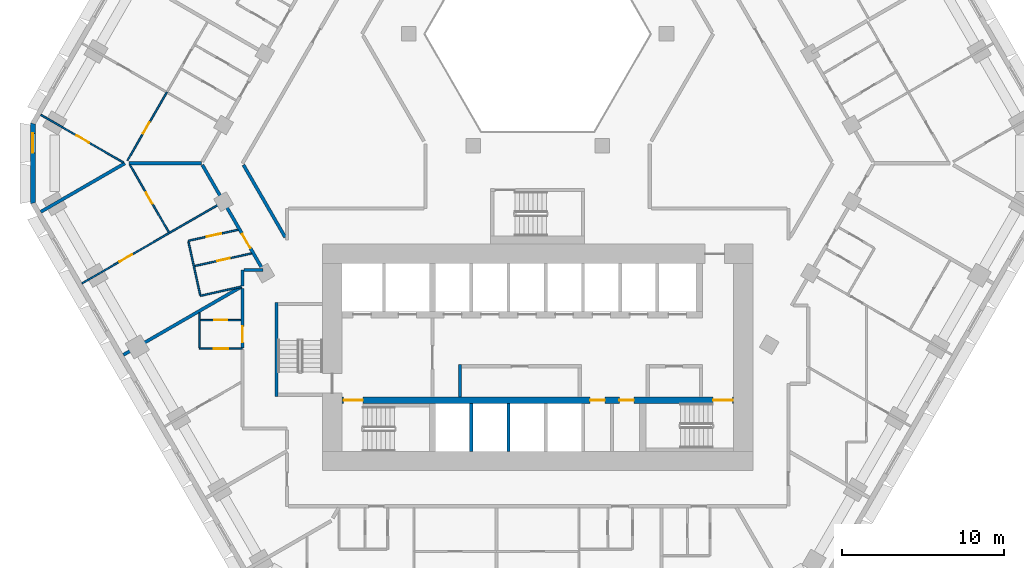
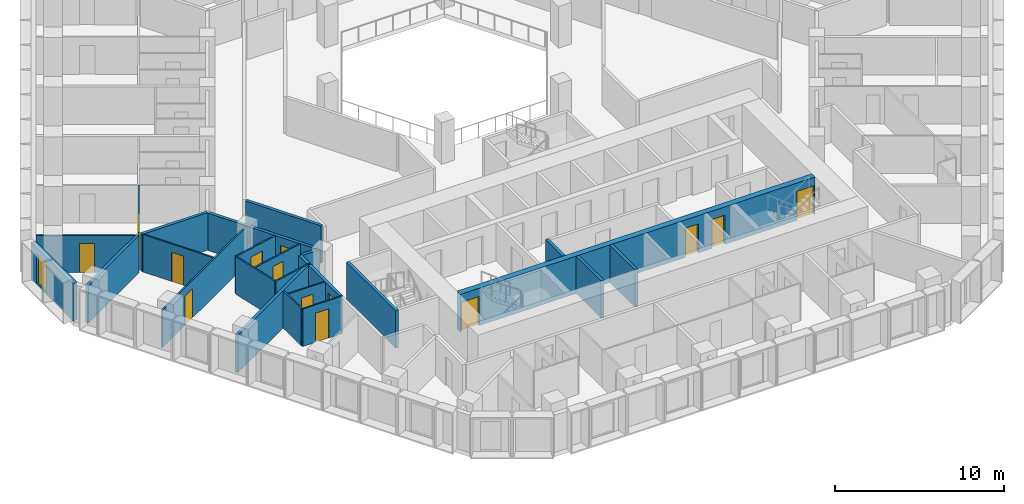
# One storey, part 4 of 16: 25 walls, 14 doors, 1 window, 15 openings.
"""IFC4 building model written with IfcOpenShell, lengths in metres."""

from ifc_helpers import new_model, si_unit, direction, frame, frame_2d, origin, place, context, subcontext, project, spatial, polyline, rectangle, outline, extrude, material, layer, layer_set, type_object, element, fill, save


model = new_model("IFC4")

# Units and contexts
model_context = context("Model", 3, precision=1e-05, world=origin(), true_north=direction((0.0, 1.0)))
body_context = subcontext(model_context, "Body", "Model", "MODEL_VIEW")
ifc_project = project(units=[si_unit("LENGTHUNIT", "METRE"), si_unit("AREAUNIT", "SQUARE_METRE"), si_unit("VOLUMEUNIT", "CUBIC_METRE"), si_unit("PLANEANGLEUNIT", "RADIAN"), si_unit("MASSUNIT", "GRAM", prefix="KILO")], contexts=[model_context])

# Site, building, storey
site_placement = place(None, origin())
site = spatial("IfcSite", under=ifc_project, at=site_placement, CompositionType="ELEMENT")
building_placement = place(site_placement, origin())
building = spatial("IfcBuilding", under=site, at=building_placement, Name="Beryl Residences", CompositionType="ELEMENT")
storey_placement = place(building_placement, frame((0.0, 0.0, 50.39990234375)))
storey = spatial("IfcBuildingStorey", under=building, at=storey_placement, Name="L15", CompositionType="ELEMENT", Elevation=50.39990234375)

# Wall, opening, window
ifc_material_1 = material(Name="Composite metal panel with mineral wool insulation")
ifc_layer_1 = layer(ifc_material_1, 0.300048828125)
ifc_layer_set_1 = layer_set([ifc_layer_1], Name="ES1 pale metal composite panel wall 300 mm")
wall_type_1 = type_object("IfcWallType", Name="ES1 pale metal composite panel wall 300 mm", PredefinedType="SOLIDWALL", material=ifc_layer_set_1)
wall_1_placement = place(storey_placement, frame((-31.199951171875, 2.5, 0.0), z_axis=(0.0, 0.0, 1.0), x_axis=(0.0, -1.0, 0.0)))
wall_1 = element("IfcWall", 1, at=wall_1_placement, inside=storey, type_object=wall_type_1, Name="ES1 external wall L15 NW-SW", PredefinedType="SOLIDWALL", context=body_context, shape_type="SweptSolid", body=[
    extrude(outline(polyline([(0.0, -0.14990234375), (5.0, -0.14990234375), (4.919677734375, 0.14990234375), (0.080322265625, 0.14990234375), (0.0, -0.14990234375)])), origin(), (0.0, 0.0, 1.0), 2.7001953125),
])
opening_1_placement = place(wall_1_placement, frame((0.64990234375, 0.0, 0.14990234375)))
opening_1 = element("IfcOpeningElement", 2, at=opening_1_placement, cuts=wall_1, Name="Opening W2", PredefinedType="OPENING", context=body_context, shape_type="SweptSolid", body=[
    extrude(rectangle(XDim=1.199951171875, YDim=2.10009765625, at=frame_2d((0.60009765625, 1.050048828125))), frame((0.0, 0.159912109375, 0.0), z_axis=(0.0, -1.0, 0.0), x_axis=(1.0, 0.0, 0.0)), (0.0, 0.0, 1.0), 0.320068359375),
])
ifc_material_2 = material(Name="Aluminium and clear glass", Category="aluminium")
window_type = type_object("IfcWindowType", Name="W2 chamfer window 1200 x 2100 mm", PartitioningType="SINGLE_PANEL", PredefinedType="WINDOW", material=ifc_material_2)
window_placement = place(opening_1_placement, origin())
window = element("IfcWindow", 3, at=window_placement, inside=storey, type_object=window_type, Name="W2 window L15 NW-SW 1", OverallHeight=2.10009765625, OverallWidth=1.199951171875, PartitioningType="SINGLE_PANEL", PredefinedType="WINDOW", context=body_context, shape_type="SweptSolid", body=[
    extrude(rectangle(XDim=1.199951171875, YDim=2.10009765625, at=frame_2d((0.60009765625, 1.050048828125))), frame((0.0, 0.030029296875, 0.0), z_axis=(0.0, -1.0, 0.0), x_axis=(1.0, 0.0, 0.0)), (0.0, 0.0, 1.0), 0.06005859375),
])
fill(opening_1, window)

# Wall, opening, door
ifc_material_3 = material(Name="Gypsum board partition on steel studs", Category="steel")
ifc_layer_2 = layer(ifc_material_3, 0.10009765625)
ifc_layer_set_2 = layer_set([ifc_layer_2], Name="PT1 partition 100 mm gypsum board on steel studs")
wall_type_2 = type_object("IfcWallType", Name="PT1 partition 100 mm gypsum board on steel studs", PredefinedType="PARTITIONING", material=ifc_layer_set_2)
wall_2_placement = place(storey_placement, frame((-25.199951171875, -0.10107421875, 0.0), z_axis=(0.0, 0.0, 1.0), x_axis=(0.500099052605, -0.865968208183, 0.0)))
wall_2 = element("IfcWall", 4, at=wall_2_placement, inside=storey, type_object=wall_type_2, Name="Wall PT1 L15 001", PredefinedType="PARTITIONING", context=body_context, shape_type="SweptSolid", body=[
    extrude(rectangle(XDim=4.80712890625, YDim=0.10009765625, at=frame_2d((2.403564453125, 0.0))), origin(), (0.0, 0.0, 1.0), 2.7001953125),
])
opening_2_placement = place(wall_2_placement, frame((1.970947265625, 0.0, 0.0)))
opening_2 = element("IfcOpeningElement", 5, at=opening_2_placement, cuts=wall_2, Name="Opening D0515", PredefinedType="OPENING", context=body_context, shape_type="SweptSolid", body=[
    extrude(rectangle(XDim=0.800048828125, YDim=2.10009765625, at=frame_2d((0.39990234375, 1.050048828125))), frame((0.0, 0.06005859375, 0.0), z_axis=(0.0, -1.0, 0.0), x_axis=(1.0, 0.0, 0.0)), (0.0, 0.0, 1.0), 0.1201171875),
])
ifc_material_4 = material(Name="Timber door leaf", Category="wood")
door_type_1 = type_object("IfcDoorType", Name="D3 bathroom door 800 x 2100 mm", OperationType="SINGLE_SWING_LEFT", PredefinedType="DOOR", material=ifc_material_4)
door_1_placement = place(opening_2_placement, origin())
door_1 = element("IfcDoor", 6, at=door_1_placement, inside=storey, type_object=door_type_1, Name="Door D0515 L15 001", OperationType="SINGLE_SWING_LEFT", OverallHeight=2.10009765625, OverallWidth=0.800048828125, PredefinedType="DOOR", context=body_context, shape_type="SweptSolid", body=[
    extrude(rectangle(XDim=0.800048828125, YDim=2.10009765625, at=frame_2d((0.39990234375, 1.050048828125))), frame((0.0, 0.02490234375, 0.0), z_axis=(0.0, -1.0, 0.0), x_axis=(1.0, 0.0, 0.0)), (0.0, 0.0, 1.0), 0.050048828125),
])
fill(opening_2, door_1)

# Walls
wall_3_placement = place(storey_placement, frame((-21.590087890625, -4.842041015625, 0.0), z_axis=(0.0, 0.0, 1.0), x_axis=(0.216524734289, -0.976277132499, 0.0)))
element("IfcWall", 7, at=wall_3_placement, inside=storey, type_object=wall_type_2, Name="Wall PT1 L15 004", PredefinedType="PARTITIONING", context=body_context, shape_type="SweptSolid", body=[
    extrude(rectangle(XDim=3.376953125, YDim=0.10009765625, at=frame_2d((1.6884765625, 0.0))), origin(), (0.0, 0.0, 1.0), 2.7001953125),
])
wall_4_placement = place(storey_placement, frame((-20.909912109375, -9.242919921875, 0.0), z_axis=(0.0, 0.0, 1.0), x_axis=(0.0, -1.0, 0.0)))
element("IfcWall", 8, at=wall_4_placement, inside=storey, type_object=wall_type_2, Name="Wall PT1 L15 009", PredefinedType="PARTITIONING", context=body_context, shape_type="SweptSolid", body=[
    extrude(rectangle(XDim=2.1630859375, YDim=0.10009765625, at=frame_2d((1.08154296875, 0.0))), origin(), (0.0, 0.0, 1.0), 2.7001953125),
])

# Wall, opening, door
wall_5_placement = place(storey_placement, frame((-30.716064453125, 2.9990234375, 0.0), z_axis=(0.0, 0.0, 1.0), x_axis=(0.866025981722, -0.499998998981, 0.0)))
wall_5 = element("IfcWall", 9, at=wall_5_placement, inside=storey, type_object=wall_type_2, Name="Wall PT1 L15 015", PredefinedType="PARTITIONING", context=body_context, shape_type="SweptSolid", body=[
    extrude(rectangle(XDim=5.88427734375, YDim=0.10009765625, at=frame_2d((2.942138671875, 0.0))), origin(), (0.0, 0.0, 1.0), 2.7001953125),
])
opening_3_placement = place(wall_5_placement, frame((2.550048828125, 0.0, 0.0)))
opening_3 = element("IfcOpeningElement", 10, at=opening_3_placement, cuts=wall_5, Name="Opening D0509", PredefinedType="OPENING", context=body_context, shape_type="SweptSolid", body=[
    extrude(rectangle(XDim=0.89990234375, YDim=2.10009765625, at=frame_2d((0.449951171875, 1.050048828125))), frame((0.0, 0.06005859375, 0.0), z_axis=(0.0, -1.0, 0.0), x_axis=(1.0, 0.0, 0.0)), (0.0, 0.0, 1.0), 0.1201171875),
])
ifc_material_5 = material(Name="Timber door leaf", Category="wood")
door_type_2 = type_object("IfcDoorType", Name="D2 room door 900 x 2100 mm", OperationType="SINGLE_SWING_LEFT", PredefinedType="DOOR", material=ifc_material_5)
door_2_placement = place(opening_3_placement, origin())
door_2 = element("IfcDoor", 11, at=door_2_placement, inside=storey, type_object=door_type_2, Name="Door D0509 L15 001", OperationType="SINGLE_SWING_LEFT", OverallHeight=2.10009765625, OverallWidth=0.89990234375, PredefinedType="DOOR", context=body_context, shape_type="SweptSolid", body=[
    extrude(rectangle(XDim=0.89990234375, YDim=2.10009765625, at=frame_2d((0.449951171875, 1.050048828125))), frame((0.0, 0.02490234375, 0.0), z_axis=(0.0, -1.0, 0.0), x_axis=(1.0, 0.0, 0.0)), (0.0, 0.0, 1.0), 0.050048828125),
])
fill(opening_3, door_2)

wall_6_placement = place(storey_placement, frame((-20.860107421875, -9.68896484375, 0.0), z_axis=(0.0, 0.0, 1.0), x_axis=(1.0, 0.0, 0.0)))
wall_6 = element("IfcWall", 12, at=wall_6_placement, inside=storey, type_object=wall_type_2, Name="Wall PT1 L15 025", PredefinedType="PARTITIONING", context=body_context, shape_type="SweptSolid", body=[
    extrude(rectangle(XDim=2.510009765625, YDim=0.10009765625, at=frame_2d((1.2548828125, 0.0))), origin(), (0.0, 0.0, 1.0), 2.7001953125),
])
opening_4_placement = place(wall_6_placement, frame((0.8798828125, 0.0, 0.0)))
opening_4 = element("IfcOpeningElement", 13, at=opening_4_placement, cuts=wall_6, Name="Opening D0518", PredefinedType="OPENING", context=body_context, shape_type="SweptSolid", body=[
    extrude(rectangle(XDim=0.800048828125, YDim=2.10009765625, at=frame_2d((0.39990234375, 1.050048828125))), frame((0.0, 0.06005859375, 0.0), z_axis=(0.0, -1.0, 0.0), x_axis=(1.0, 0.0, 0.0)), (0.0, 0.0, 1.0), 0.1201171875),
])
door_3_placement = place(opening_4_placement, origin())
door_3 = element("IfcDoor", 14, at=door_3_placement, inside=storey, type_object=door_type_1, Name="Door D0518 L15 001", OperationType="SINGLE_SWING_RIGHT", OverallHeight=2.10009765625, OverallWidth=0.800048828125, PredefinedType="DOOR", context=body_context, shape_type="SweptSolid", body=[
    extrude(rectangle(XDim=0.800048828125, YDim=2.10009765625, at=frame_2d((0.39990234375, 1.050048828125))), frame((0.0, 0.02490234375, 0.0), z_axis=(0.0, -1.0, 0.0), x_axis=(1.0, 0.0, 0.0)), (0.0, 0.0, 1.0), 0.050048828125),
])
fill(opening_4, door_3)

wall_7_placement = place(storey_placement, frame((-20.908935546875, -11.45703125, 0.0), z_axis=(0.0, 0.0, 1.0), x_axis=(1.0, 0.0, 0.0)))
wall_7 = element("IfcWall", 15, at=wall_7_placement, inside=storey, type_object=wall_type_2, Name="Wall PT1 L15 026", PredefinedType="PARTITIONING", context=body_context, shape_type="SweptSolid", body=[
    extrude(rectangle(XDim=2.658935546875, YDim=0.10009765625, at=frame_2d((1.32958984375, 0.0))), origin(), (0.0, 0.0, 1.0), 2.7001953125),
])
opening_5_placement = place(wall_7_placement, frame((0.87890625, 0.0, 0.0)))
opening_5 = element("IfcOpeningElement", 16, at=opening_5_placement, cuts=wall_7, Name="Opening D0517", PredefinedType="OPENING", context=body_context, shape_type="SweptSolid", body=[
    extrude(rectangle(XDim=0.89990234375, YDim=2.10009765625, at=frame_2d((0.449951171875, 1.050048828125))), frame((0.0, 0.06005859375, 0.0), z_axis=(0.0, -1.0, 0.0), x_axis=(1.0, 0.0, 0.0)), (0.0, 0.0, 1.0), 0.1201171875),
])
door_4_placement = place(opening_5_placement, origin())
door_4 = element("IfcDoor", 17, at=door_4_placement, inside=storey, type_object=door_type_2, Name="Door D0517 L15 001", OperationType="SINGLE_SWING_LEFT", OverallHeight=2.10009765625, OverallWidth=0.89990234375, PredefinedType="DOOR", context=body_context, shape_type="SweptSolid", body=[
    extrude(rectangle(XDim=0.89990234375, YDim=2.10009765625, at=frame_2d((0.449951171875, 1.050048828125))), frame((0.0, 0.02490234375, 0.0), z_axis=(0.0, -1.0, 0.0), x_axis=(1.0, 0.0, 0.0)), (0.0, 0.0, 1.0), 0.050048828125),
])
fill(opening_5, door_4)

wall_8_placement = place(storey_placement, frame((-25.35791015625, 0.173095703125, 0.0), z_axis=(0.0, 0.0, 1.0), x_axis=(0.500180754623, 0.8659210199, 0.0)))
wall_8 = element("IfcWall", 18, at=wall_8_placement, inside=storey, type_object=wall_type_2, Name="Wall PT1 L15 039", PredefinedType="PARTITIONING", context=body_context, shape_type="SweptSolid", body=[
    extrude(rectangle(XDim=4.872314453125, YDim=0.10009765625, at=frame_2d((2.43603515625, 0.0))), origin(), (0.0, 0.0, 1.0), 2.7001953125),
])
opening_6_placement = place(wall_8_placement, frame((1.93603515625, 0.0, 0.0)))
opening_6 = element("IfcOpeningElement", 19, at=opening_6_placement, cuts=wall_8, Name="Opening D0510", PredefinedType="OPENING", context=body_context, shape_type="SweptSolid", body=[
    extrude(rectangle(XDim=0.800048828125, YDim=2.10009765625, at=frame_2d((0.39990234375, 1.050048828125))), frame((0.0, 0.06005859375, 0.0), z_axis=(0.0, -1.0, 0.0), x_axis=(1.0, 0.0, 0.0)), (0.0, 0.0, 1.0), 0.1201171875),
])
door_5_placement = place(opening_6_placement, origin())
door_5 = element("IfcDoor", 20, at=door_5_placement, inside=storey, type_object=door_type_1, Name="Door D0510 L15 001", OperationType="SINGLE_SWING_RIGHT", OverallHeight=2.10009765625, OverallWidth=0.800048828125, PredefinedType="DOOR", context=body_context, shape_type="SweptSolid", body=[
    extrude(rectangle(XDim=0.800048828125, YDim=2.10009765625, at=frame_2d((0.39990234375, 1.050048828125))), frame((0.0, 0.02490234375, 0.0), z_axis=(0.0, -1.0, 0.0), x_axis=(1.0, 0.0, 0.0)), (0.0, 0.0, 1.0), 0.050048828125),
])
fill(opening_6, door_5)

# Wall
wall_9_placement = place(storey_placement, frame((-20.847900390625, -8.18896484375, 0.0), z_axis=(0.0, 0.0, 1.0), x_axis=(0.976266547712, 0.216572453971, 0.0)))
element("IfcWall", 21, at=wall_9_placement, inside=storey, type_object=wall_type_2, Name="Wall PT1 L15 057", PredefinedType="PARTITIONING", context=body_context, shape_type="SweptSolid", body=[
    extrude(rectangle(XDim=2.599609375, YDim=0.10009765625, at=frame_2d((1.2998046875, 0.0))), origin(), (0.0, 0.0, 1.0), 2.7001953125),
])

# Wall, opening, door
wall_10_placement = place(storey_placement, frame((-21.205078125, -6.34912109375, 0.0), z_axis=(0.0, 0.0, 1.0), x_axis=(0.976315944397, 0.216349663084, 0.0)))
wall_10 = element("IfcWall", 22, at=wall_10_placement, inside=storey, type_object=wall_type_2, Name="Wall PT1 L15 058", PredefinedType="PARTITIONING", context=body_context, shape_type="SweptSolid", body=[
    extrude(rectangle(XDim=3.60546875, YDim=0.10009765625, at=frame_2d((1.802734375, 0.0))), origin(), (0.0, 0.0, 1.0), 2.7001953125),
])
opening_7_placement = place(wall_10_placement, frame((1.429931640625, 0.0, 0.0)))
opening_7 = element("IfcOpeningElement", 23, at=opening_7_placement, cuts=wall_10, Name="Opening D0512", PredefinedType="OPENING", context=body_context, shape_type="SweptSolid", body=[
    extrude(rectangle(XDim=0.800048828125, YDim=2.10009765625, at=frame_2d((0.39990234375, 1.050048828125))), frame((0.0, 0.06005859375, 0.0), z_axis=(0.0, -1.0, 0.0), x_axis=(1.0, 0.0, 0.0)), (0.0, 0.0, 1.0), 0.1201171875),
])
door_6_placement = place(opening_7_placement, origin())
door_6 = element("IfcDoor", 24, at=door_6_placement, inside=storey, type_object=door_type_1, Name="Door D0512 L15 001", OperationType="SINGLE_SWING_RIGHT", OverallHeight=2.10009765625, OverallWidth=0.800048828125, PredefinedType="DOOR", context=body_context, shape_type="SweptSolid", body=[
    extrude(rectangle(XDim=0.800048828125, YDim=2.10009765625, at=frame_2d((0.39990234375, 1.050048828125))), frame((0.0, 0.02490234375, 0.0), z_axis=(0.0, -1.0, 0.0), x_axis=(1.0, 0.0, 0.0)), (0.0, 0.0, 1.0), 0.050048828125),
])
fill(opening_7, door_6)

wall_11_placement = place(storey_placement, frame((-21.60009765625, -4.7919921875, 0.0), z_axis=(0.0, 0.0, 1.0), x_axis=(0.976320106661, 0.216330879278, 0.0)))
wall_11 = element("IfcWall", 25, at=wall_11_placement, inside=storey, type_object=wall_type_2, Name="Wall PT1 L15 059", PredefinedType="PARTITIONING", context=body_context, shape_type="SweptSolid", body=[
    extrude(rectangle(XDim=3.1474609375, YDim=0.10009765625, at=frame_2d((1.57373046875, 0.0))), origin(), (0.0, 0.0, 1.0), 2.7001953125),
])
opening_8_placement = place(wall_11_placement, frame((1.176025390625, 0.0, 0.0)))
opening_8 = element("IfcOpeningElement", 26, at=opening_8_placement, cuts=wall_11, Name="Opening D0513", PredefinedType="OPENING", context=body_context, shape_type="SweptSolid", body=[
    extrude(rectangle(XDim=0.89990234375, YDim=2.10009765625, at=frame_2d((0.449951171875, 1.050048828125))), frame((0.0, 0.06005859375, 0.0), z_axis=(0.0, -1.0, 0.0), x_axis=(1.0, 0.0, 0.0)), (0.0, 0.0, 1.0), 0.1201171875),
])
door_7_placement = place(opening_8_placement, origin())
door_7 = element("IfcDoor", 27, at=door_7_placement, inside=storey, type_object=door_type_2, Name="Door D0513 L15 001", OperationType="SINGLE_SWING_LEFT", OverallHeight=2.10009765625, OverallWidth=0.89990234375, PredefinedType="DOOR", context=body_context, shape_type="SweptSolid", body=[
    extrude(rectangle(XDim=0.89990234375, YDim=2.10009765625, at=frame_2d((0.449951171875, 1.050048828125))), frame((0.0, 0.02490234375, 0.0), z_axis=(0.0, -1.0, 0.0), x_axis=(1.0, 0.0, 0.0)), (0.0, 0.0, 1.0), 0.050048828125),
])
fill(opening_8, door_7)

wall_12_placement = place(storey_placement, frame((-28.1630859375, -7.419921875, 0.0), z_axis=(0.0, 0.0, 1.0), x_axis=(0.866065245018, 0.499930986609, 0.0)))
wall_12 = element("IfcWall", 28, at=wall_12_placement, inside=storey, type_object=wall_type_2, Name="Wall PT1 L15 063", PredefinedType="PARTITIONING", context=body_context, shape_type="SweptSolid", body=[
    extrude(rectangle(XDim=9.99951171875, YDim=0.10009765625, at=frame_2d((4.999755859375, 0.0))), origin(), (0.0, 0.0, 1.0), 2.7001953125),
])
opening_9_placement = place(wall_12_placement, frame((2.6630859375, 0.0, 0.0)))
opening_9 = element("IfcOpeningElement", 29, at=opening_9_placement, cuts=wall_12, Name="Opening D0514", PredefinedType="OPENING", context=body_context, shape_type="SweptSolid", body=[
    extrude(rectangle(XDim=0.89990234375, YDim=2.10009765625, at=frame_2d((0.449951171875, 1.050048828125))), frame((0.0, 0.06005859375, 0.0), z_axis=(0.0, -1.0, 0.0), x_axis=(1.0, 0.0, 0.0)), (0.0, 0.0, 1.0), 0.1201171875),
])
door_8_placement = place(opening_9_placement, origin())
door_8 = element("IfcDoor", 30, at=door_8_placement, inside=storey, type_object=door_type_2, Name="Door D0514 L15 001", OperationType="SINGLE_SWING_RIGHT", OverallHeight=2.10009765625, OverallWidth=0.89990234375, PredefinedType="DOOR", context=body_context, shape_type="SweptSolid", body=[
    extrude(rectangle(XDim=0.89990234375, YDim=2.10009765625, at=frame_2d((0.449951171875, 1.050048828125))), frame((0.0, 0.02490234375, 0.0), z_axis=(0.0, -1.0, 0.0), x_axis=(1.0, 0.0, 0.0)), (0.0, 0.0, 1.0), 0.050048828125),
])
fill(opening_9, door_8)

# Walls
ifc_material_6 = material(Name="Concrete masonry", Category="masonry")
ifc_layer_3 = layer(ifc_material_6, 0.199951171875)
ifc_layer_set_3 = layer_set([ifc_layer_3], Name="PT13 lobby wall 200 mm")
wall_type_3 = type_object("IfcWallType", Name="PT13 lobby wall 200 mm", PredefinedType="PARTITIONING", material=ifc_layer_set_3)
wall_13_placement = place(storey_placement, frame((-4.800048828125, -14.449951171875, 0.0), z_axis=(0.0, 0.0, 1.0), x_axis=(0.0, 1.0, 0.0)))
element("IfcWall", 31, at=wall_13_placement, inside=storey, type_object=wall_type_3, Name="Lobby wall 07", PredefinedType="PARTITIONING", context=body_context, shape_type="SweptSolid", body=[
    extrude(rectangle(XDim=2.0, YDim=0.199951171875, at=frame_2d((1.0, 0.0))), origin(), (0.0, 0.0, 1.0), 2.7001953125),
])
ifc_material_7 = material(Name="Acoustic double stud gypsum board wall")
ifc_layer_4 = layer(ifc_material_7, 0.199951171875)
ifc_layer_set_4 = layer_set([ifc_layer_4], Name="PT3 party wall 200 mm acoustic double stud")
wall_type_4 = type_object("IfcWallType", Name="PT3 party wall 200 mm acoustic double stud", PredefinedType="PARTITIONING", material=ifc_layer_set_4)
wall_14_placement = place(storey_placement, frame((-25.277099609375, -0.0009765625, 0.0), z_axis=(0.0, 0.0, 1.0), x_axis=(1.0, 0.0, 0.0)))
element("IfcWall", 32, at=wall_14_placement, inside=storey, type_object=wall_type_4, Name="Wall PT3 L15 009", PredefinedType="PARTITIONING", context=body_context, shape_type="SweptSolid", body=[
    extrude(rectangle(XDim=4.4931640625, YDim=0.199951171875, at=frame_2d((2.24658203125, 0.0))), origin(), (0.0, 0.0, 1.0), 2.7001953125),
])
wall_15_placement = place(storey_placement, frame((-30.715087890625, -3.0, 0.0), z_axis=(0.0, 0.0, 1.0), x_axis=(0.86609140076, 0.499885672459, 0.0)))
element("IfcWall", 33, at=wall_15_placement, inside=storey, type_object=wall_type_4, Name="Wall PT3 L15 021", PredefinedType="PARTITIONING", context=body_context, shape_type="SweptSolid", body=[
    extrude(rectangle(XDim=5.99951171875, YDim=0.199951171875, at=frame_2d((2.999755859375, 0.0))), origin(), (0.0, 0.0, 1.0), 2.7001953125),
])
wall_16_placement = place(storey_placement, frame((-25.610107421875, -11.841064453125, 0.0), z_axis=(0.0, 0.0, 1.0), x_axis=(0.866004715254, 0.500035831874, 0.0)))
element("IfcWall", 34, at=wall_16_placement, inside=storey, type_object=wall_type_4, Name="Wall PT3 L15 022", PredefinedType="PARTITIONING", context=body_context, shape_type="SweptSolid", body=[
    extrude(rectangle(XDim=8.4296875, YDim=0.199951171875, at=frame_2d((4.21484375, 0.0))), origin(), (0.0, 0.0, 1.0), 2.7001953125),
])
ifc_material_8 = material(Name="Double stud gypsum board wall")
ifc_layer_5 = layer(ifc_material_8, 0.199951171875)
ifc_layer_set_5 = layer_set([ifc_layer_5], Name="PT4 corridor wall 200 mm double stud")
wall_type_5 = type_object("IfcWallType", Name="PT4 corridor wall 200 mm double stud", PredefinedType="PARTITIONING", material=ifc_layer_set_5)
wall_17_placement = place(storey_placement, frame((-18.18603515625, -0.10107421875, 0.0), z_axis=(0.0, 0.0, 1.0), x_axis=(0.499997591167, -0.86602679452, 0.0)))
element("IfcWall", 35, at=wall_17_placement, inside=storey, type_object=wall_type_5, Name="Wall PT4 L15 002", PredefinedType="PARTITIONING", context=body_context, shape_type="SweptSolid", body=[
    extrude(rectangle(XDim=5.171875, YDim=0.199951171875, at=frame_2d((2.5859375, 0.0))), origin(), (0.0, 0.0, 1.0), 2.7001953125),
])

# Wall, opening, door
wall_18_placement = place(storey_placement, frame((-20.72705078125, -0.10107421875, 0.0), z_axis=(0.0, 0.0, 1.0), x_axis=(0.500065652488, -0.865987495984, 0.0)))
wall_18 = element("IfcWall", 36, at=wall_18_placement, inside=storey, type_object=wall_type_5, Name="Wall PT4 L15 003", PredefinedType="PARTITIONING", context=body_context, shape_type="SweptSolid", body=[
    extrude(rectangle(XDim=7.38916015625, YDim=0.199951171875, at=frame_2d((3.694580078125, 0.0))), origin(), (0.0, 0.0, 1.0), 2.7001953125),
])
opening_10_placement = place(wall_18_placement, frame((4.93701171875, 0.0, 0.0)))
opening_10 = element("IfcOpeningElement", 37, at=opening_10_placement, cuts=wall_18, Name="Opening D0511", PredefinedType="OPENING", context=body_context, shape_type="SweptSolid", body=[
    extrude(rectangle(XDim=1.0, YDim=2.10009765625, at=frame_2d((0.5, 1.050048828125))), frame((0.0, 0.10986328125, 0.0), z_axis=(0.0, -1.0, 0.0), x_axis=(1.0, 0.0, 0.0)), (0.0, 0.0, 1.0), 0.219970703125),
])
ifc_material_9 = material(Name="Timber door leaf", Category="wood")
door_type_3 = type_object("IfcDoorType", Name="D1 flat entrance door 1000 x 2100 mm", OperationType="SINGLE_SWING_LEFT", PredefinedType="DOOR", material=ifc_material_9)
door_9_placement = place(opening_10_placement, origin())
door_9 = element("IfcDoor", 38, at=door_9_placement, inside=storey, type_object=door_type_3, Name="Door D0511 L15 001", OperationType="SINGLE_SWING_LEFT", OverallHeight=2.10009765625, OverallWidth=1.0, PredefinedType="DOOR", context=body_context, shape_type="SweptSolid", body=[
    extrude(rectangle(XDim=1.0, YDim=2.10009765625, at=frame_2d((0.5, 1.050048828125))), frame((0.0, 0.02490234375, 0.0), z_axis=(0.0, -1.0, 0.0), x_axis=(1.0, 0.0, 0.0)), (0.0, 0.0, 1.0), 0.050048828125),
])
fill(opening_10, door_9)

# Wall
wall_19_placement = place(storey_placement, frame((-18.14990234375, -6.60009765625, 0.0), z_axis=(0.0, 0.0, 1.0), x_axis=(1.0, 0.0, 0.0)))
element("IfcWall", 39, at=wall_19_placement, inside=storey, type_object=wall_type_5, Name="Wall PT4 L15 010", PredefinedType="PARTITIONING", context=body_context, shape_type="SweptSolid", body=[
    extrude(rectangle(XDim=1.17578125, YDim=0.199951171875, at=frame_2d((0.587890625, 0.0))), origin(), (0.0, 0.0, 1.0), 2.7001953125),
])

# Wall, opening, door
wall_20_placement = place(storey_placement, frame((-18.25, -11.406982421875, 0.0), z_axis=(0.0, 0.0, 1.0), x_axis=(0.0, 1.0, 0.0)))
wall_20 = element("IfcWall", 40, at=wall_20_placement, inside=storey, type_object=wall_type_5, Name="Wall PT4 L15 033", PredefinedType="PARTITIONING", context=body_context, shape_type="SweptSolid", body=[
    extrude(rectangle(XDim=3.6650390625, YDim=0.199951171875, at=frame_2d((1.83251953125, 0.0))), origin(), (0.0, 0.0, 1.0), 2.7001953125),
])
opening_11_placement = place(wall_20_placement, frame((0.333984375, 0.0, 0.0)))
opening_11 = element("IfcOpeningElement", 41, at=opening_11_placement, cuts=wall_20, Name="Opening D0516", PredefinedType="OPENING", context=body_context, shape_type="SweptSolid", body=[
    extrude(rectangle(XDim=1.0, YDim=2.10009765625, at=frame_2d((0.5, 1.050048828125))), frame((0.0, 0.10986328125, 0.0), z_axis=(0.0, -1.0, 0.0), x_axis=(1.0, 0.0, 0.0)), (0.0, 0.0, 1.0), 0.219970703125),
])
door_10_placement = place(opening_11_placement, origin())
door_10 = element("IfcDoor", 42, at=door_10_placement, inside=storey, type_object=door_type_3, Name="Door D0516 L15 001", OperationType="SINGLE_SWING_RIGHT", OverallHeight=2.10009765625, OverallWidth=1.0, PredefinedType="DOOR", context=body_context, shape_type="SweptSolid", body=[
    extrude(rectangle(XDim=1.0, YDim=2.10009765625, at=frame_2d((0.5, 1.050048828125))), frame((0.0, 0.02490234375, 0.0), z_axis=(0.0, -1.0, 0.0), x_axis=(1.0, 0.0, 0.0)), (0.0, 0.0, 1.0), 0.050048828125),
])
fill(opening_11, door_10)

# Walls
wall_21_placement = place(storey_placement, frame((-18.25, -7.592041015625, 0.0), z_axis=(0.0, 0.0, 1.0), x_axis=(0.0, 1.0, 0.0)))
element("IfcWall", 43, at=wall_21_placement, inside=storey, type_object=wall_type_5, Name="Wall PT4 L15 034", PredefinedType="PARTITIONING", context=body_context, shape_type="SweptSolid", body=[
    extrude(rectangle(XDim=0.991943359375, YDim=0.199951171875, at=frame_2d((0.49609375, 0.0))), origin(), (0.0, 0.0, 1.0), 2.7001953125),
])
ifc_material_10 = material(Name="Concrete C40/50", Category="concrete")
ifc_layer_6 = layer(ifc_material_10, 0.199951171875)
ifc_layer_set_6 = layer_set([ifc_layer_6], Name="PT5 stair enclosure wall 200 mm reinforced concrete C40/50")
wall_type_6 = type_object("IfcWallType", Name="PT5 stair enclosure wall 200 mm reinforced concrete C40/50", PredefinedType="SOLIDWALL", material=ifc_layer_set_6)
wall_22_placement = place(storey_placement, frame((-16.14990234375, -14.39990234375, 0.0), z_axis=(0.0, 0.0, 1.0), x_axis=(0.0, 1.0, 0.0)))
element("IfcWall", 44, at=wall_22_placement, inside=storey, type_object=wall_type_6, Name="Stair wall 01", PredefinedType="SOLIDWALL", context=body_context, shape_type="SweptSolid", body=[
    extrude(rectangle(XDim=5.7998046875, YDim=0.199951171875, at=frame_2d((2.89990234375, 0.0))), origin(), (0.0, 0.0, 1.0), 2.7001953125),
])
ifc_material_11 = material(Name="Concrete C40/50", Category="concrete")
ifc_layer_7 = layer(ifc_material_11, 0.199951171875)
ifc_layer_set_7 = layer_set([ifc_layer_7], Name="PT6 lift shaft wall 200 mm reinforced concrete C40/50")
wall_type_7 = type_object("IfcWallType", Name="PT6 lift shaft wall 200 mm reinforced concrete C40/50", PredefinedType="SOLIDWALL", material=ifc_layer_set_7)
for number, where, z_axis, x_axis, name in (
    (45, (-4.10009765625, -17.800048828125, 0.0), (0.0, 0.0, 1.0), (0.0, 1.0, 0.0), "Lift shaft wall 09"),
    (46, (-1.800048828125, -17.800048828125, 0.0), (0.0, 0.0, 1.0), (0.0, 1.0, 0.0), "Lift shaft wall 11"),
):
    element("IfcWall", number, at=place(storey_placement, frame(where, z_axis=z_axis, x_axis=x_axis)), inside=storey, type_object=wall_type_7, Name=name, PredefinedType="SOLIDWALL", context=body_context, shape_type="SweptSolid", body=[
        extrude(rectangle(XDim=2.949951171875, YDim=0.199951171875, at=frame_2d((1.47509765625, 0.0))), origin(), (0.0, 0.0, 1.0), 2.7001953125),
    ])

# Wall, openings, doors
ifc_material_12 = material(Name="Concrete C80/95", Category="concrete")
ifc_layer_8 = layer(ifc_material_12, 0.39990234375)
ifc_layer_set_8 = layer_set([ifc_layer_8], Name="SW6 core internal wall 400 mm C80/95")
wall_type_8 = type_object("IfcWallType", Name="SW6 core internal wall 400 mm C80/95", PredefinedType="SHEAR", material=ifc_layer_set_8)
wall_23_placement = place(storey_placement, frame((-12.10009765625, -14.64990234375, 0.0), z_axis=(0.0, 0.0, 1.0), x_axis=(1.0, 0.0, 0.0)))
wall_23 = element("IfcWall", 47, at=wall_23_placement, inside=storey, type_object=wall_type_8, Name="Core wall SP1 L15", PredefinedType="SHEAR", context=body_context, shape_type="SweptSolid", body=[
    extrude(rectangle(XDim=24.2001953125, YDim=0.39990234375, at=frame_2d((12.10009765625, 0.0))), origin(), (0.0, 0.0, 1.0), 2.7001953125),
])
opening_12_placement = place(wall_23_placement, frame((1.300048828125, 0.0, 0.0), z_axis=(0.0, 0.0, 1.0), x_axis=(-1.0, 0.0, 0.0)))
opening_12 = element("IfcOpeningElement", 48, at=opening_12_placement, cuts=wall_23, Name="Opening SD-1", PredefinedType="OPENING", context=body_context, shape_type="SweptSolid", body=[
    extrude(rectangle(XDim=1.199951171875, YDim=2.10009765625, at=frame_2d((0.60009765625, 1.050048828125))), frame((0.0, 0.2099609375, 0.0), z_axis=(0.0, -1.0, 0.0), x_axis=(1.0, 0.0, 0.0)), (0.0, 0.0, 1.0), 0.419921875),
])
opening_13_placement = place(wall_23_placement, frame((24.14990234375, 0.0, 0.0), z_axis=(0.0, 0.0, 1.0), x_axis=(-1.0, 0.0, 0.0)))
opening_13 = element("IfcOpeningElement", 49, at=opening_13_placement, cuts=wall_23, Name="Opening SD-3", PredefinedType="OPENING", context=body_context, shape_type="SweptSolid", body=[
    extrude(rectangle(XDim=1.199951171875, YDim=2.10009765625, at=frame_2d((0.60009765625, 1.050048828125))), frame((0.0, 0.2099609375, 0.0), z_axis=(0.0, -1.0, 0.0), x_axis=(1.0, 0.0, 0.0)), (0.0, 0.0, 1.0), 0.419921875),
])
opening_14_placement = place(wall_23_placement, frame((16.25, 0.0, 0.0), z_axis=(0.0, 0.0, 1.0), x_axis=(-1.0, 0.0, 0.0)))
opening_14 = element("IfcOpeningElement", 50, at=opening_14_placement, cuts=wall_23, Name="Opening CD-D-S1-900", PredefinedType="OPENING", context=body_context, shape_type="SweptSolid", body=[
    extrude(rectangle(XDim=0.89990234375, YDim=2.10009765625, at=frame_2d((0.449951171875, 1.050048828125))), frame((0.0, 0.2099609375, 0.0), z_axis=(0.0, -1.0, 0.0), x_axis=(1.0, 0.0, 0.0)), (0.0, 0.0, 1.0), 0.419921875),
])
opening_15_placement = place(wall_23_placement, frame((18.0498046875, 0.0, 0.0), z_axis=(0.0, 0.0, 1.0), x_axis=(-1.0, 0.0, 0.0)))
opening_15 = element("IfcOpeningElement", 51, at=opening_15_placement, cuts=wall_23, Name="Opening CD-D-S2-900", PredefinedType="OPENING", context=body_context, shape_type="SweptSolid", body=[
    extrude(rectangle(XDim=0.89990234375, YDim=2.10009765625, at=frame_2d((0.449951171875, 1.050048828125))), frame((0.0, 0.2099609375, 0.0), z_axis=(0.0, -1.0, 0.0), x_axis=(1.0, 0.0, 0.0)), (0.0, 0.0, 1.0), 0.419921875),
])
ifc_material_13 = material(Name="Steel door leaf in steel frame", Category="steel")
door_type_4 = type_object("IfcDoorType", Name="D4 stair door 1200 x 2100 mm", OperationType="SINGLE_SWING_LEFT", PredefinedType="DOOR", material=ifc_material_13)
door_11_placement = place(opening_12_placement, origin())
door_11 = element("IfcDoor", 52, at=door_11_placement, inside=storey, type_object=door_type_4, Name="Door SD-1 L15 001", OperationType="SINGLE_SWING_RIGHT", OverallHeight=2.10009765625, OverallWidth=1.199951171875, PredefinedType="DOOR", context=body_context, shape_type="SweptSolid", body=[
    extrude(rectangle(XDim=1.199951171875, YDim=2.10009765625, at=frame_2d((0.60009765625, 1.050048828125))), frame((0.0, 0.02490234375, 0.0), z_axis=(0.0, -1.0, 0.0), x_axis=(1.0, 0.0, 0.0)), (0.0, 0.0, 1.0), 0.050048828125),
])
fill(opening_12, door_11)
door_12_placement = place(opening_13_placement, origin())
door_12 = element("IfcDoor", 53, at=door_12_placement, inside=storey, type_object=door_type_4, Name="Door SD-3 L15 001", OperationType="SINGLE_SWING_RIGHT", OverallHeight=2.10009765625, OverallWidth=1.199951171875, PredefinedType="DOOR", context=body_context, shape_type="SweptSolid", body=[
    extrude(rectangle(XDim=1.199951171875, YDim=2.10009765625, at=frame_2d((0.60009765625, 1.050048828125))), frame((0.0, 0.02490234375, 0.0), z_axis=(0.0, -1.0, 0.0), x_axis=(1.0, 0.0, 0.0)), (0.0, 0.0, 1.0), 0.050048828125),
])
fill(opening_13, door_12)
ifc_material_14 = material(Name="Steel door leaf in steel frame", Category="steel")
door_type_5 = type_object("IfcDoorType", Name="D6 service room door 900 x 2100 mm", OperationType="SINGLE_SWING_LEFT", PredefinedType="DOOR", material=ifc_material_14)
door_13_placement = place(opening_14_placement, origin())
door_13 = element("IfcDoor", 54, at=door_13_placement, inside=storey, type_object=door_type_5, Name="Door CD-D-S1-900 L15 001", OperationType="SINGLE_SWING_RIGHT", OverallHeight=2.10009765625, OverallWidth=0.89990234375, PredefinedType="DOOR", context=body_context, shape_type="SweptSolid", body=[
    extrude(rectangle(XDim=0.89990234375, YDim=2.10009765625, at=frame_2d((0.449951171875, 1.050048828125))), frame((0.0, 0.02490234375, 0.0), z_axis=(0.0, -1.0, 0.0), x_axis=(1.0, 0.0, 0.0)), (0.0, 0.0, 1.0), 0.050048828125),
])
fill(opening_14, door_13)
door_14_placement = place(opening_15_placement, origin())
door_14 = element("IfcDoor", 55, at=door_14_placement, inside=storey, type_object=door_type_5, Name="Door CD-D-S2-900 L15 001", OperationType="SINGLE_SWING_LEFT", OverallHeight=2.10009765625, OverallWidth=0.89990234375, PredefinedType="DOOR", context=body_context, shape_type="SweptSolid", body=[
    extrude(rectangle(XDim=0.89990234375, YDim=2.10009765625, at=frame_2d((0.449951171875, 1.050048828125))), frame((0.0, 0.02490234375, 0.0), z_axis=(0.0, -1.0, 0.0), x_axis=(1.0, 0.0, 0.0)), (0.0, 0.0, 1.0), 0.050048828125),
])
fill(opening_15, door_14)

save(model, "model.ifc")
